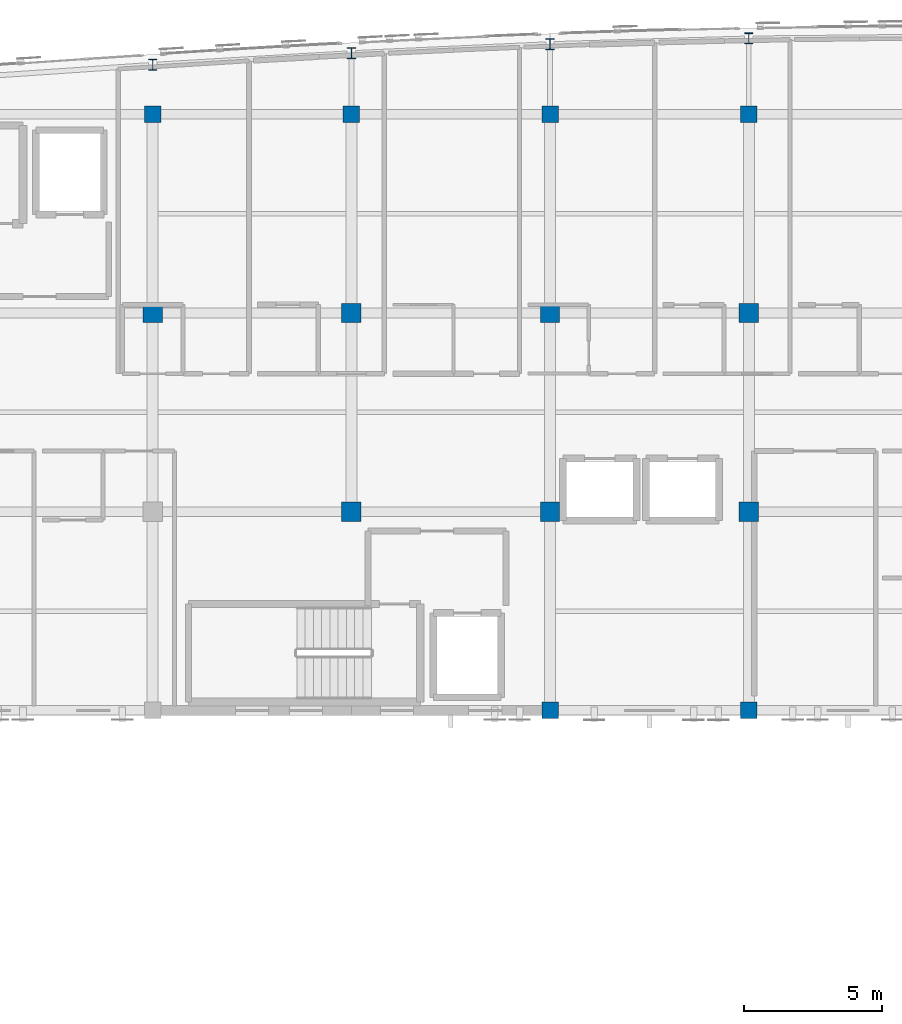
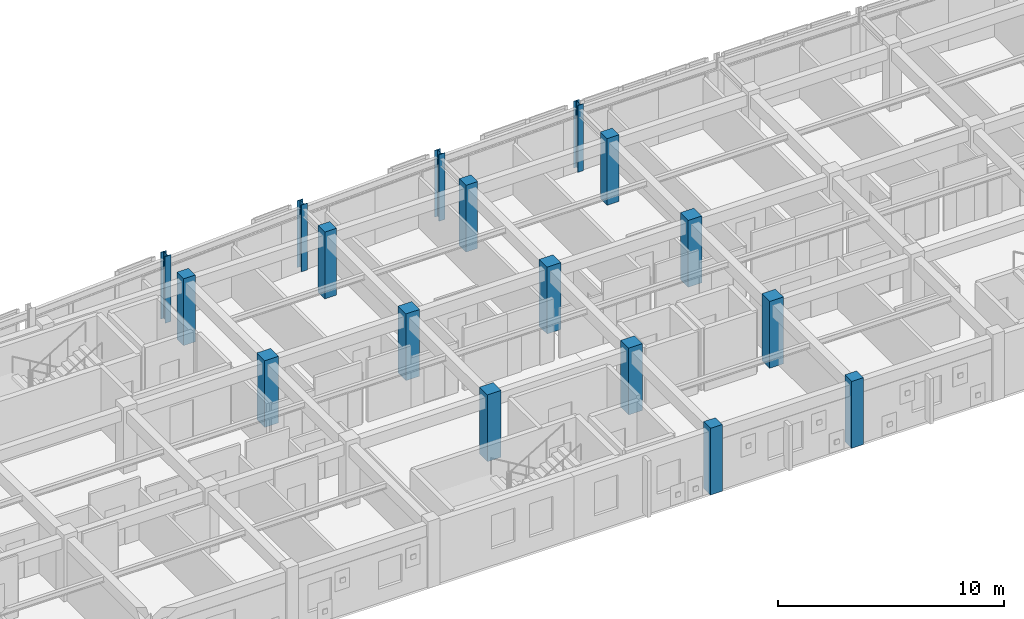
# One storey, part 2 of 73: 17 columns.
"""IFC4 building model written with IfcOpenShell, lengths in metres."""

from ifc_helpers import new_model, si_unit, direction, frame, origin, origin_2d, place, context, subcontext, project, spatial, rectangle, i_section, extrude, material, material_profile, profile_set, type_object, element, save


model = new_model("IFC4")

# Units and contexts
model_context = context("Model", 3, precision=1e-05, world=origin(), true_north=direction((0.0, 1.0)))
body_context = subcontext(model_context, "Body", "Model", "MODEL_VIEW")
ifc_project = project(units=[si_unit("LENGTHUNIT", "METRE"), si_unit("AREAUNIT", "SQUARE_METRE"), si_unit("VOLUMEUNIT", "CUBIC_METRE"), si_unit("PLANEANGLEUNIT", "RADIAN"), si_unit("MASSUNIT", "GRAM", prefix="KILO")], contexts=[model_context])

# Site, building, storey
site_placement = place(None, origin())
site = spatial("IfcSite", under=ifc_project, at=site_placement, CompositionType="ELEMENT")
building_placement = place(site_placement, origin())
building = spatial("IfcBuilding", under=site, at=building_placement, Name="Carrowvane Square Congress Hotel", CompositionType="ELEMENT")
storey_placement = place(building_placement, frame((0.0, 0.0, 19.199951171875)))
storey = spatial("IfcBuildingStorey", under=building, at=storey_placement, Name="L04", CompositionType="ELEMENT", Elevation=19.199951171875)

# Columns
ifc_material_1 = material(Name="Concrete C40/50", Category="concrete")
ifc_material_profile_1 = material_profile(ifc_material_1, rectangle(XDim=0.60009765625, YDim=0.60009765625, at=origin_2d()), Name="RC 600x600")
ifc_profile_set_1 = profile_set([ifc_material_profile_1], Name="Concrete C40/50")
column_type_1 = type_object("IfcColumnType", Name="COL-RC-600", PredefinedType="COLUMN", material=ifc_profile_set_1)
for number, where, z_axis, x_axis, name in (
    (1, (69.199951171875, 113.39990234375, 0.0), (0.0, 0.0, 1.0), (1.0, 0.0, 0.0), "L04 column 9/R"),
    (2, (76.39990234375, 113.39990234375, 0.0), (0.0, 0.0, 1.0), (1.0, 0.0, 0.0), "L04 column 10/R"),
    (3, (83.60009765625, 91.800048828125, 0.0), (0.0, 0.0, 1.0), (1.0, 0.0, 0.0), "L04 column 11/N"),
    (4, (83.60009765625, 113.39990234375, 0.0), (0.0, 0.0, 1.0), (1.0, 0.0, 0.0), "L04 column 11/R"),
    (5, (90.800048828125, 91.800048828125, 0.0), (0.0, 0.0, 1.0), (1.0, 0.0, 0.0), "L04 column 12/N"),
    (6, (90.800048828125, 113.39990234375, 0.0), (0.0, 0.0, 1.0), (1.0, 0.0, 0.0), "L04 column 12/R"),
):
    element("IfcColumn", number, at=place(storey_placement, frame(where, z_axis=z_axis, x_axis=x_axis)), inside=storey, type_object=column_type_1, Name=name, PredefinedType="COLUMN", context=body_context, shape_type="SweptSolid", body=[
        extrude(rectangle(XDim=0.60009765625, YDim=0.60009765625, at=origin_2d()), origin(), (0.0, 0.0, 1.0), 3.60009765625),
    ])
ifc_material_2 = material(Name="Concrete C40/50", Category="concrete")
ifc_material_profile_2 = material_profile(ifc_material_2, rectangle(XDim=0.699951171875, YDim=0.699951171875, at=origin_2d()), Name="RC 700x700")
ifc_profile_set_2 = profile_set([ifc_material_profile_2], Name="Concrete C40/50")
column_type_2 = type_object("IfcColumnType", Name="COL-RC-700", PredefinedType="COLUMN", material=ifc_profile_set_2)
for number, where, z_axis, x_axis, name in (
    (7, (69.199951171875, 106.199951171875, 0.0), (0.0, 0.0, 1.0), (1.0, 0.0, 0.0), "L04 column 9/Q"),
    (8, (76.39990234375, 99.0, 0.0), (0.0, 0.0, 1.0), (1.0, 0.0, 0.0), "L04 column 10/P"),
    (9, (76.39990234375, 106.199951171875, 0.0), (0.0, 0.0, 1.0), (1.0, 0.0, 0.0), "L04 column 10/Q"),
    (10, (83.60009765625, 99.0, 0.0), (0.0, 0.0, 1.0), (1.0, 0.0, 0.0), "L04 column 11/P"),
    (11, (83.60009765625, 106.199951171875, 0.0), (0.0, 0.0, 1.0), (1.0, 0.0, 0.0), "L04 column 11/Q"),
    (12, (90.800048828125, 99.0, 0.0), (0.0, 0.0, 1.0), (1.0, 0.0, 0.0), "L04 column 12/P"),
    (13, (90.800048828125, 106.199951171875, 0.0), (0.0, 0.0, 1.0), (1.0, 0.0, 0.0), "L04 column 12/Q"),
):
    element("IfcColumn", number, at=place(storey_placement, frame(where, z_axis=z_axis, x_axis=x_axis)), inside=storey, type_object=column_type_2, Name=name, PredefinedType="COLUMN", context=body_context, shape_type="SweptSolid", body=[
        extrude(rectangle(XDim=0.699951171875, YDim=0.699951171875, at=origin_2d()), origin(), (0.0, 0.0, 1.0), 3.60009765625),
    ])
ifc_material_3 = material(Name="Steel S355", Category="steel")
ifc_material_profile_3 = material_profile(ifc_material_3, i_section(OverallWidth=0.300048828125, OverallDepth=0.39990234375, WebThickness=0.013427734375, FlangeThickness=0.02392578125, FilletRadius=0.027099609375, at=origin_2d()), Name="HEB 400")
ifc_profile_set_3 = profile_set([ifc_material_profile_3], Name="Steel S355")
column_type_3 = type_object("IfcColumnType", Name="COL-ST-HEB400", PredefinedType="COLUMN", material=ifc_profile_set_3)
for number, where, z_axis, x_axis, name in (
    (14, (69.199951171875, 115.1943359375, 0.0), (0.0, 0.0, 1.0), (1.0, 0.0, 0.0), "L04 column 9/ARC"),
    (15, (76.39990234375, 115.61767578125, 0.0), (0.0, 0.0, 1.0), (1.0, 0.0, 0.0), "L04 column 10/ARC"),
    (16, (83.60009765625, 115.944091796875, 0.0), (0.0, 0.0, 1.0), (1.0, 0.0, 0.0), "L04 column 11/ARC"),
    (17, (90.800048828125, 116.14990234375, 0.0), (0.0, 0.0, 1.0), (1.0, 0.0, 0.0), "L04 column 12/ARC"),
):
    element("IfcColumn", number, at=place(storey_placement, frame(where, z_axis=z_axis, x_axis=x_axis)), inside=storey, type_object=column_type_3, Name=name, PredefinedType="COLUMN", context=body_context, shape_type="SweptSolid", body=[
        extrude(i_section(OverallWidth=0.300048828125, OverallDepth=0.39990234375, WebThickness=0.013427734375, FlangeThickness=0.02392578125, FilletRadius=0.027099609375, at=origin_2d()), origin(), (0.0, 0.0, 1.0), 3.60009765625),
    ])

save(model, "model.ifc")
